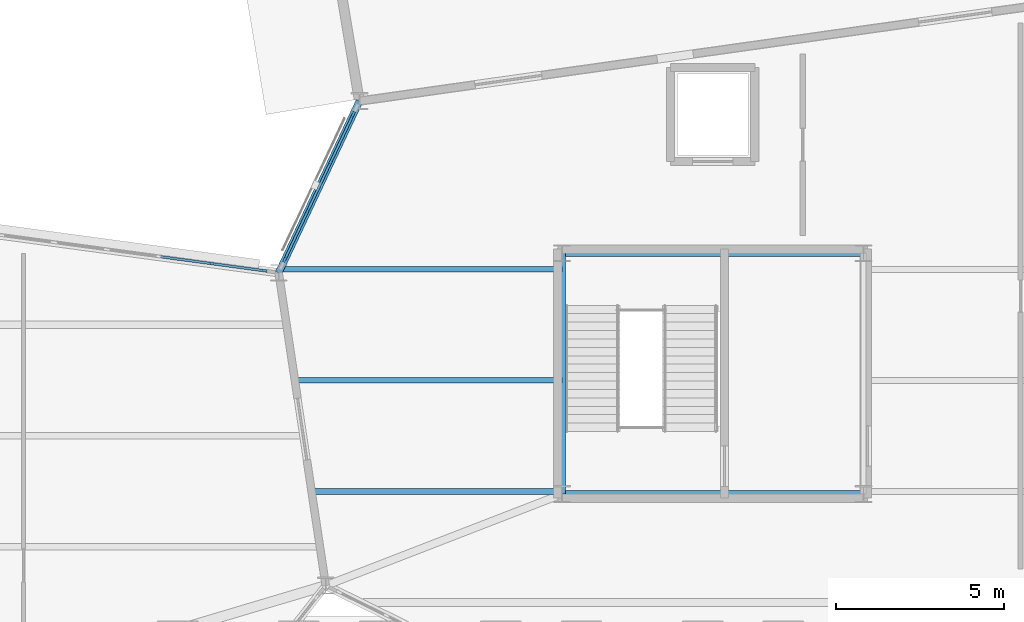
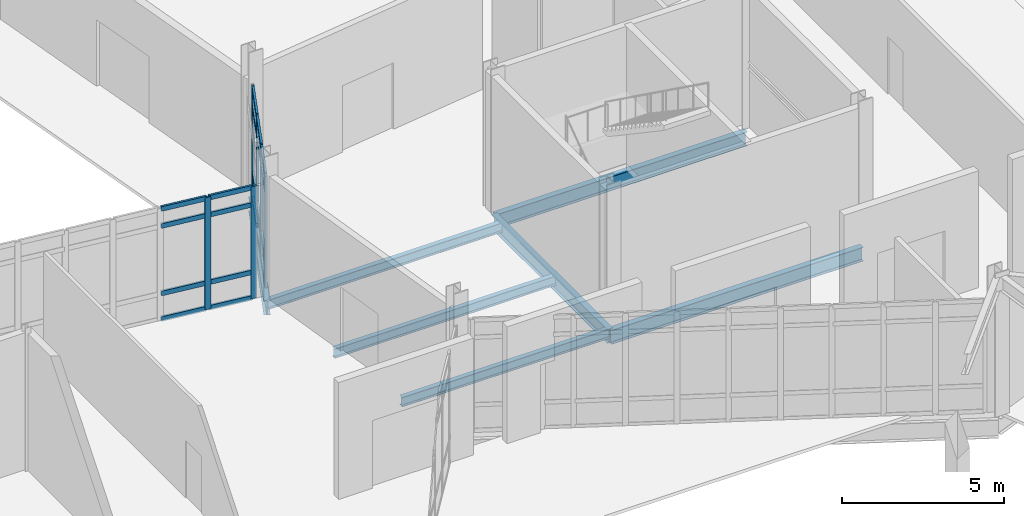
# One storey, part 32 of 113: 26 members, 7 beams, 2 elements without a shape of their own.
"""IFC4 building model written with IfcOpenShell, lengths in metres."""

import ifcopenshell
import ifcopenshell.guid

model = None  # the IFC model being written
_history = None  # IfcOwnerHistory: only IFC2X3 demands one
_inside = {}  # id of a spatial element -> (the spatial element, [elements in it])
_under = {}  # id of a project, library or spatial element -> (it, [spatial elements below it])
_declared = {}  # id of a project -> (the project, [libraries it declares])
_typed = {}  # id of a type object -> (the type object, [elements of that type])
_made_of = {}  # id of a material, layer set ... -> (it, [elements and type objects made of it])


def new_model(schema):
    """Start an empty IFC model of exactly this schema.

    Asked for "IFC4X3", IfcOpenShell would pick the latest addendum, in which some entities
    have other attributes; the version numbers below select the first issue.
    IFC2X3 requires an IfcOwnerHistory on every rooted entity: one is made here for all.
    """
    global model, _history
    if schema == "IFC4X3":
        model = ifcopenshell.file(schema_version=(4, 3, 0, 0))
    else:
        model = ifcopenshell.file(schema=schema)
    _inside.clear()
    _under.clear()
    _declared.clear()
    _typed.clear()
    _made_of.clear()
    _history = None
    if model.schema == "IFC2X3":
        org = make("IfcOrganization", Name="unknown")
        user = make(
            "IfcPersonAndOrganization",
            ThePerson=make("IfcPerson", FamilyName="unknown"),
            TheOrganization=org,
        )
        app = make(
            "IfcApplication",
            ApplicationDeveloper=org,
            Version="unknown",
            ApplicationFullName="unknown",
            ApplicationIdentifier="unknown",
        )
        _history = make(
            "IfcOwnerHistory",
            OwningUser=user,
            OwningApplication=app,
            ChangeAction="ADDED",
            CreationDate=0,
        )
    return model


def make(cls, **values):
    """One entity of the class cls with the attributes given. An attribute that is None is left unset."""
    return model.create_entity(
        cls, **{name: value for name, value in values.items() if value is not None}
    )


def rooted(cls, **values):
    """An entity with a GlobalId (a new one), such as an element, a storey or a relation."""
    return make(cls, GlobalId=ifcopenshell.guid.new(), OwnerHistory=_history, **values)


def si_unit(unit_type, name, prefix=None):
    """IfcSIUnit, for example si_unit("LENGTHUNIT", "METRE", prefix="MILLI")."""
    return make("IfcSIUnit", UnitType=unit_type, Prefix=prefix, Name=name)


def assignment(units):
    """IfcUnitAssignment: the units of a project."""
    return None if units is None else make("IfcUnitAssignment", Units=units)


def point(xyz):
    """IfcCartesianPoint."""
    return None if xyz is None else make("IfcCartesianPoint", Coordinates=xyz)


def direction(xyz):
    """IfcDirection."""
    return None if xyz is None else make("IfcDirection", DirectionRatios=xyz)


def frame(location, z_axis=None, x_axis=None):
    """IfcAxis2Placement3D, a coordinate frame: its origin and axes. An axis left out is left unset."""
    return make(
        "IfcAxis2Placement3D",
        Location=point(location),
        Axis=direction(z_axis),
        RefDirection=direction(x_axis),
    )


def frame_2d(location, x_axis=None):
    """IfcAxis2Placement2D, a coordinate frame in the plane: its origin and x axis."""
    return make(
        "IfcAxis2Placement2D", Location=point(location), RefDirection=direction(x_axis)
    )


def origin():
    """The frame at (0, 0, 0) with its axes left unset."""
    return frame((0.0, 0.0, 0.0))


def origin_2d():
    """The frame at (0, 0) in the plane with its x axis left unset."""
    return frame_2d((0.0, 0.0))


def place(relative_to, where):
    """IfcLocalPlacement: puts the frame where relative to a parent placement (None: the world)."""
    return make(
        "IfcLocalPlacement", PlacementRelTo=relative_to, RelativePlacement=where
    )


def context(
    kind, dimensions, precision=None, world=None, true_north=None, identifier=None
):
    """IfcGeometricRepresentationContext, for example the 3D "Model" context."""
    return make(
        "IfcGeometricRepresentationContext",
        ContextIdentifier=identifier,
        ContextType=kind,
        CoordinateSpaceDimension=dimensions,
        Precision=precision,
        WorldCoordinateSystem=world,
        TrueNorth=true_north,
    )


def subcontext(parent, identifier, kind, view, scale=None):
    """IfcGeometricRepresentationSubContext, for example "Body" below "Model"."""
    return make(
        "IfcGeometricRepresentationSubContext",
        ContextIdentifier=identifier,
        ContextType=kind,
        ParentContext=parent,
        TargetScale=scale,
        TargetView=view,
    )


def project(units=None, contexts=None):
    """IfcProject with its units and contexts."""
    return rooted(
        "IfcProject",
        Name="project",
        RepresentationContexts=contexts,
        UnitsInContext=assignment(units),
    )


def spatial(cls, under=None, at=None, **own):
    """A site, building, storey or space (cls), placed at a placement, below another one or the project."""
    s = rooted(cls, ObjectPlacement=at, **own)
    if under is not None:
        _under.setdefault(under.id(), (under, []))[1].append(s)
    return s


def profile(cls, at=None, kind="AREA", **sizes):
    """A parametric profile (cls). Its sizes go by their IFC names, for example OverallWidth=200.0."""
    return make(cls, ProfileType=kind, Position=at, **sizes)


def rectangle(**sizes):
    """IfcRectangleProfileDef."""
    return profile("IfcRectangleProfileDef", **sizes)


def i_section(**sizes):
    """IfcIShapeProfileDef."""
    return profile("IfcIShapeProfileDef", **sizes)


def extrude(swept, where, along, depth):
    """IfcExtrudedAreaSolid: the profile swept, set in the frame where, extruded along a direction by depth."""
    return make(
        "IfcExtrudedAreaSolid",
        SweptArea=swept,
        Position=where,
        ExtrudedDirection=direction(along),
        Depth=depth,
    )


def shape(context_of_items, identifier, shape_type, items):
    """IfcShapeRepresentation: the items that make up one representation, for example the "Body"."""
    return make(
        "IfcShapeRepresentation",
        ContextOfItems=context_of_items,
        RepresentationIdentifier=identifier,
        RepresentationType=shape_type,
        Items=items,
    )


def material(Name=None, Category=None):
    """IfcMaterial."""
    return make("IfcMaterial", Name=Name, Category=Category)


def material_profile(
    of_material, cross_section, Name=None, Category=None, Priority=None
):
    """IfcMaterialProfile: a cross section and its material."""
    return make(
        "IfcMaterialProfile",
        Name=Name,
        Material=of_material,
        Profile=cross_section,
        Priority=Priority,
        Category=Category,
    )


def profile_set(profiles, Name=None, composite=None):
    """IfcMaterialProfileSet."""
    return make(
        "IfcMaterialProfileSet",
        Name=Name,
        MaterialProfiles=profiles,
        CompositeProfile=composite,
    )


def made_of(thing, what):
    """Note that an element or type object is made of a material, layer set ...; save() writes the relation."""
    if what is not None:
        _made_of.setdefault(what.id(), (what, []))[1].append(thing)
    return thing


def type_object(cls, material=None, **own):
    """A type object (cls), such as IfcWallType, which elements share."""
    return made_of(rooted(cls, **own), material)


def element(
    cls,
    number,
    at=None,
    inside=None,
    cuts=None,
    type_object=None,
    material=None,
    context=None,
    identifier="Body",
    shape_type=None,
    held_by="IfcProductDefinitionShape",
    body=None,
    shapes=None,
    **own,
):
    """One element of the class cls, such as IfcWall. Its Tag is "e" and its number.

    at: its placement. inside: the storey or other place that contains it. cuts: it is an
    opening in that element (IfcRelVoidsElement). A single representation is given by context,
    identifier, shape_type and body (its items); several are given by shapes. held_by: the class
    of the entity that holds the representations. save() writes the other relations.
    """
    e = rooted(cls, Tag="e%d" % number, ObjectPlacement=at, **own)
    if body is not None:
        shapes = [shape(context, identifier, shape_type, body)]
    if shapes is not None:
        e.Representation = make(held_by, Representations=shapes)
    if inside is not None:
        _inside.setdefault(inside.id(), (inside, []))[1].append(e)
    if cuts is not None:
        rooted(
            "IfcRelVoidsElement", RelatingBuildingElement=cuts, RelatedOpeningElement=e
        )
    if type_object is not None:
        _typed.setdefault(type_object.id(), (type_object, []))[1].append(e)
    return made_of(e, material)


def aggregate(whole, parts):
    """IfcRelAggregates: a whole, such as a stair, and the parts it consists of."""
    return rooted("IfcRelAggregates", RelatingObject=whole, RelatedObjects=parts)


def save(model, path):
    """Write the relations noted so far, then the file.

    IfcRelAggregates (storeys below a building ...), IfcRelContainedInSpatialStructure (elements
    in a storey), IfcRelDefinesByType, IfcRelAssociatesMaterial and IfcRelDeclares: one each for
    every whole, place, type object, material and project.
    """
    for whole, parts in _under.values():
        aggregate(whole, parts)
    for where, things in _inside.values():
        rooted(
            "IfcRelContainedInSpatialStructure",
            RelatedElements=things,
            RelatingStructure=where,
        )
    for kind, things in _typed.values():
        rooted("IfcRelDefinesByType", RelatedObjects=things, RelatingType=kind)
    for what, things in _made_of.values():
        rooted("IfcRelAssociatesMaterial", RelatedObjects=things, RelatingMaterial=what)
    for by, libraries in _declared.values():
        rooted("IfcRelDeclares", RelatingContext=by, RelatedDefinitions=libraries)
    model.write(path)


model = new_model("IFC4")

# Units and contexts
model_context = context("Model", 3, precision=1e-05, world=origin(), true_north=direction((0.0, 1.0)))
body_context = subcontext(model_context, "Body", "Model", "MODEL_VIEW")
ifc_project = project(units=[si_unit("LENGTHUNIT", "METRE"), si_unit("AREAUNIT", "SQUARE_METRE"), si_unit("VOLUMEUNIT", "CUBIC_METRE"), si_unit("PLANEANGLEUNIT", "RADIAN"), si_unit("MASSUNIT", "GRAM", prefix="KILO")], contexts=[model_context])

# Site, building, storey
site_placement = place(None, origin())
site = spatial("IfcSite", under=ifc_project, at=site_placement, CompositionType="ELEMENT")
building_placement = place(site_placement, origin())
building = spatial("IfcBuilding", under=site, at=building_placement, Name="Tameran Prism Museum", CompositionType="ELEMENT")
storey_placement = place(building_placement, origin())
storey = spatial("IfcBuildingStorey", under=building, at=storey_placement, Name="L00", CompositionType="ELEMENT", Elevation=0.0)

# Beams
ifc_material_1 = material(Name="Steel Grade 300PLUS (300 MPa)", Category="steel")
ifc_material_profile_1 = material_profile(ifc_material_1, i_section(OverallWidth=0.172119140625, OverallDepth=0.35888671875, WebThickness=0.008056640625, FlangeThickness=0.012939453125, FilletRadius=0.011474609375, at=origin_2d()))
ifc_profile_set_1 = profile_set([ifc_material_profile_1])
beam_type_1 = type_object("IfcBeamType", Name="BM-J360A", PredefinedType="JOIST", material=ifc_profile_set_1)
beam_1_placement = place(storey_placement, frame((50.618896484375, 33.0, -0.41943359375), z_axis=(1.0, 0.0, 0.0), x_axis=(0.0, 1.0, 0.0)))
element("IfcBeam", 1, at=beam_1_placement, inside=storey, type_object=beam_type_1, Name="Floor Beam BM-0201", PredefinedType="JOIST", context=body_context, shape_type="SweptSolid", body=[
    extrude(i_section(OverallWidth=0.172119140625, OverallDepth=0.35888671875, WebThickness=0.008056640625, FlangeThickness=0.012939453125, FilletRadius=0.011474609375, at=origin_2d()), origin(), (0.0, 0.0, 1.0), 7.401123046875),
])
beam_2_placement = place(storey_placement, frame((49.69091796875, 39.60009765625, -0.41943359375), z_axis=(1.0, 0.0, 0.0), x_axis=(0.0, 1.0, 0.0)))
element("IfcBeam", 2, at=beam_2_placement, inside=storey, type_object=beam_type_1, Name="Floor Beam BM-0205", PredefinedType="JOIST", context=body_context, shape_type="SweptSolid", body=[
    extrude(i_section(OverallWidth=0.172119140625, OverallDepth=0.35888671875, WebThickness=0.008056640625, FlangeThickness=0.012939453125, FilletRadius=0.011474609375, at=origin_2d()), origin(), (0.0, 0.0, 1.0), 8.3291015625),
])
ifc_material_2 = material(Name="Steel Grade 300PLUS (300 MPa)", Category="steel")
ifc_material_profile_2 = material_profile(ifc_material_2, i_section(OverallWidth=0.1708984375, OverallDepth=0.35595703125, WebThickness=0.00732421875, FlangeThickness=0.011474609375, FilletRadius=0.011474609375, at=origin_2d()))
ifc_profile_set_2 = profile_set([ifc_material_profile_2])
beam_type_2 = type_object("IfcBeamType", Name="BM-J360B", PredefinedType="JOIST", material=ifc_profile_set_2)
beam_3_placement = place(storey_placement, frame((50.1220703125, 36.300048828125, -0.41796875), z_axis=(1.0, 0.0, 0.0), x_axis=(0.0, 1.0, 0.0)))
element("IfcBeam", 3, at=beam_3_placement, inside=storey, type_object=beam_type_2, Name="Floor Beam BM-0203", PredefinedType="JOIST", context=body_context, shape_type="SweptSolid", body=[
    extrude(i_section(OverallWidth=0.1708984375, OverallDepth=0.35595703125, WebThickness=0.00732421875, FlangeThickness=0.011474609375, FilletRadius=0.011474609375, at=origin_2d()), origin(), (0.0, 0.0, 1.0), 7.89794921875),
])
ifc_material_3 = material(Name="Steel Grade 300PLUS (300 MPa)", Category="steel")
ifc_material_profile_3 = material_profile(ifc_material_3, i_section(OverallWidth=0.208984375, OverallDepth=0.528076171875, WebThickness=0.009521484375, FlangeThickness=0.01318359375, FilletRadius=0.013916015625, at=origin_2d()))
ifc_profile_set_3 = profile_set([ifc_material_profile_3])
beam_type_3 = type_object("IfcBeamType", Name="BM-SP530B", PredefinedType="SPANDREL", material=ifc_profile_set_3)
beam_4_placement = place(storey_placement, frame((52.0, 44.60009765625, -0.50390625), z_axis=(-0.425776176805, -0.904828518154, 0.0), x_axis=(0.904828518154, -0.425776176805, 0.0)))
element("IfcBeam", 4, at=beam_4_placement, inside=storey, type_object=beam_type_3, Name="Perimeter Spandrel SP-0026", PredefinedType="SPANDREL", context=body_context, shape_type="SweptSolid", body=[
    extrude(i_section(OverallWidth=0.208984375, OverallDepth=0.528076171875, WebThickness=0.009521484375, FlangeThickness=0.01318359375, FilletRadius=0.013916015625, at=origin_2d()), origin(), (0.0, 0.0, 1.0), 5.636474609375),
])
for number, where, z_axis, x_axis, name in (
    (5, (58.02001953125, 32.919921875, -0.50390625), (1.0, 0.0, 0.0), (0.0, 1.0, 0.0), "Core Ring Beam CTB-0114"),
    (6, (66.97998046875, 40.080078125, -0.50390625), (-1.0, 0.0, 0.0), (0.0, -1.0, 0.0), "Core Ring Beam CTB-0116"),
):
    element("IfcBeam", number, at=place(storey_placement, frame(where, z_axis=z_axis, x_axis=x_axis)), inside=storey, type_object=beam_type_3, Name=name, PredefinedType="SPANDREL", context=body_context, shape_type="SweptSolid", body=[
        extrude(i_section(OverallWidth=0.208984375, OverallDepth=0.528076171875, WebThickness=0.009521484375, FlangeThickness=0.01318359375, FilletRadius=0.013916015625, at=origin_2d()), origin(), (0.0, 0.0, 1.0), 8.9599609375),
    ])
beam_5_placement = place(storey_placement, frame((58.02001953125, 40.080078125, -0.50390625), z_axis=(0.0, -1.0, 0.0), x_axis=(1.0, 0.0, 0.0)))
element("IfcBeam", 7, at=beam_5_placement, inside=storey, type_object=beam_type_3, Name="Core Ring Beam CTB-0117", PredefinedType="SPANDREL", context=body_context, shape_type="SweptSolid", body=[
    extrude(i_section(OverallWidth=0.208984375, OverallDepth=0.528076171875, WebThickness=0.009521484375, FlangeThickness=0.01318359375, FilletRadius=0.013916015625, at=origin_2d()), origin(), (0.0, 0.0, 1.0), 7.16015625),
])

# Curtain wall, members
ifc_material_4 = material(Name="Anodised Aluminium 6063-T6 and Cyclone Solar Glass", Category="aluminium")
curtain_wall_type_1 = type_object("IfcCurtainWallType", Name="CW-FAC-482x422", PredefinedType="USERDEFINED", material=ifc_material_4)
curtain_wall_1_placement = place(storey_placement, origin())
curtain_wall_1 = element("IfcCurtainWall", 8, at=curtain_wall_1_placement, inside=storey, type_object=curtain_wall_type_1, Name="Unitised Curtain Wall CW-029", ObjectType="UNITISED CURTAIN WALL", PredefinedType="USERDEFINED")
ifc_material_5 = material(Name="Anodised Aluminium Alloy 6063-T6", Category="aluminium")
ifc_material_profile_4 = material_profile(ifc_material_5, rectangle(XDim=0.074951171875, YDim=0.199951171875, at=origin_2d()))
ifc_profile_set_4 = profile_set([ifc_material_profile_4])
member_type_1 = type_object("IfcMemberType", Name="CW-MUL-C", PredefinedType="MULLION", material=ifc_profile_set_4)
member_1_placement = place(storey_placement, frame((49.791015625, 39.905029296875, 0.0), z_axis=(0.0, 0.0, 1.0), x_axis=(-0.904884570714, 0.42565703763, 0.0)))
member_1 = element("IfcMember", 9, at=member_1_placement, type_object=member_type_1, Name="CW-029 mullion 1", PredefinedType="MULLION", context=body_context, shape_type="SweptSolid", body=[
    extrude(rectangle(XDim=0.074951171875, YDim=0.199951171875, at=origin_2d()), origin(), (0.0, 0.0, 1.0), 4.219970703125),
])
member_2_placement = place(storey_placement, frame((50.458251953125, 41.32373046875, 0.0), z_axis=(0.0, 0.0, 1.0), x_axis=(-0.904884570714, 0.42565703763, 0.0)))
member_2 = element("IfcMember", 10, at=member_2_placement, type_object=member_type_1, Name="CW-029 mullion 2", PredefinedType="MULLION", context=body_context, shape_type="SweptSolid", body=[
    extrude(rectangle(XDim=0.074951171875, YDim=0.199951171875, at=origin_2d()), origin(), (0.0, 0.0, 1.0), 4.219970703125),
])
member_3_placement = place(storey_placement, frame((51.1416015625, 42.7763671875, 0.0), z_axis=(0.0, 0.0, 1.0), x_axis=(-0.904884570714, 0.42565703763, 0.0)))
member_3 = element("IfcMember", 11, at=member_3_placement, type_object=member_type_1, Name="CW-029 mullion 3", PredefinedType="MULLION", context=body_context, shape_type="SweptSolid", body=[
    extrude(rectangle(XDim=0.074951171875, YDim=0.199951171875, at=origin_2d()), origin(), (0.0, 0.0, 1.0), 4.219970703125),
])
member_4_placement = place(storey_placement, frame((51.80908203125, 44.195068359375, 0.0), z_axis=(0.0, 0.0, 1.0), x_axis=(-0.904884570714, 0.42565703763, 0.0)))
member_4 = element("IfcMember", 12, at=member_4_placement, type_object=member_type_1, Name="CW-029 mullion 4", PredefinedType="MULLION", context=body_context, shape_type="SweptSolid", body=[
    extrude(rectangle(XDim=0.074951171875, YDim=0.199951171875, at=origin_2d()), origin(), (0.0, 0.0, 1.0), 4.219970703125),
])

ifc_material_6 = material(Name="Anodised Aluminium 6063-T6 and Cyclone Solar Glass", Category="aluminium")
curtain_wall_type_2 = type_object("IfcCurtainWallType", Name="CW-FAC-2532x422", PredefinedType="USERDEFINED", material=ifc_material_6)
curtain_wall_2_placement = place(storey_placement, origin())
curtain_wall_2 = element("IfcCurtainWall", 13, at=curtain_wall_2_placement, inside=storey, type_object=curtain_wall_type_2, Name="Unitised Curtain Wall CW-049", ObjectType="UNITISED CURTAIN WALL", PredefinedType="USERDEFINED")
member_5_placement = place(storey_placement, frame((47.6259765625, 39.766845703125, 0.0), z_axis=(0.0, 0.0, 1.0), x_axis=(0.133912653592, 0.99099313883, 0.0)))
member_5 = element("IfcMember", 14, at=member_5_placement, type_object=member_type_1, Name="CW-049 mullion 16", PredefinedType="MULLION", context=body_context, shape_type="SweptSolid", body=[
    extrude(rectangle(XDim=0.074951171875, YDim=0.199951171875, at=origin_2d()), origin(), (0.0, 0.0, 1.0), 4.219970703125),
])
member_6_placement = place(storey_placement, frame((49.15673828125, 39.56005859375, 0.0), z_axis=(0.0, 0.0, 1.0), x_axis=(0.133912653592, 0.99099313883, 0.0)))
member_6 = element("IfcMember", 15, at=member_6_placement, type_object=member_type_1, Name="CW-049 mullion 17", PredefinedType="MULLION", context=body_context, shape_type="SweptSolid", body=[
    extrude(rectangle(XDim=0.074951171875, YDim=0.199951171875, at=origin_2d()), origin(), (0.0, 0.0, 1.0), 4.219970703125),
])

# Member
ifc_material_7 = material(Name="Anodised Aluminium Alloy 6063-T6", Category="aluminium")
ifc_material_profile_5 = material_profile(ifc_material_7, rectangle(XDim=0.074951171875, YDim=0.175048828125, at=origin_2d()))
ifc_profile_set_5 = profile_set([ifc_material_profile_5])
member_type_2 = type_object("IfcMemberType", Name="CW-TRN-C", PredefinedType="USERDEFINED", material=ifc_profile_set_5)
member_7_placement = place(storey_placement, frame((49.806884765625, 39.93896484375, 0.03759765625), z_axis=(0.425694647365, 0.904866878168, 0.0), x_axis=(-0.904866878168, 0.425694647365, 0.0)))
member_7 = element("IfcMember", 16, at=member_7_placement, type_object=member_type_2, Name="CW-029 transom 1.1", ObjectType="TRANSOM", PredefinedType="USERDEFINED", context=body_context, shape_type="SweptSolid", body=[
    extrude(rectangle(XDim=0.074951171875, YDim=0.175048828125, at=origin_2d()), origin(), (0.0, 0.0, 1.0), 1.492919921875),
])

member_8_placement = place(storey_placement, frame((49.806884765625, 39.93896484375, 1.0), z_axis=(0.425694647365, 0.904866878168, 0.0), x_axis=(-0.904866878168, 0.425694647365, 0.0)))
member_8 = element("IfcMember", 17, at=member_8_placement, type_object=member_type_2, Name="CW-029 transom 1.2", ObjectType="TRANSOM", PredefinedType="USERDEFINED", context=body_context, shape_type="SweptSolid", body=[
    extrude(rectangle(XDim=0.074951171875, YDim=0.175048828125, at=origin_2d()), origin(), (0.0, 0.0, 1.0), 1.492919921875),
])

member_9_placement = place(storey_placement, frame((49.806884765625, 39.93896484375, 3.5400390625), z_axis=(0.425694647365, 0.904866878168, 0.0), x_axis=(-0.904866878168, 0.425694647365, 0.0)))
member_9 = element("IfcMember", 18, at=member_9_placement, type_object=member_type_2, Name="CW-029 transom 1.3", ObjectType="TRANSOM", PredefinedType="USERDEFINED", context=body_context, shape_type="SweptSolid", body=[
    extrude(rectangle(XDim=0.074951171875, YDim=0.175048828125, at=origin_2d()), origin(), (0.0, 0.0, 1.0), 1.492919921875),
])

member_10_placement = place(storey_placement, frame((49.806884765625, 39.93896484375, 4.1826171875), z_axis=(0.425694647365, 0.904866878168, 0.0), x_axis=(-0.904866878168, 0.425694647365, 0.0)))
member_10 = element("IfcMember", 19, at=member_10_placement, type_object=member_type_2, Name="CW-029 transom 1.4", ObjectType="TRANSOM", PredefinedType="USERDEFINED", context=body_context, shape_type="SweptSolid", body=[
    extrude(rectangle(XDim=0.074951171875, YDim=0.175048828125, at=origin_2d()), origin(), (0.0, 0.0, 1.0), 1.492919921875),
])

member_11_placement = place(storey_placement, frame((50.474365234375, 41.357666015625, 0.03759765625), z_axis=(0.425643368976, 0.904891000312, 0.0), x_axis=(-0.904891000312, 0.425643368976, 0.0)))
member_11 = element("IfcMember", 20, at=member_11_placement, type_object=member_type_2, Name="CW-029 transom 2.1", ObjectType="TRANSOM", PredefinedType="USERDEFINED", context=body_context, shape_type="SweptSolid", body=[
    extrude(rectangle(XDim=0.074951171875, YDim=0.175048828125, at=origin_2d()), origin(), (0.0, 0.0, 1.0), 1.5302734375),
])

member_12_placement = place(storey_placement, frame((50.474365234375, 41.357666015625, 1.0), z_axis=(0.425643368976, 0.904891000312, 0.0), x_axis=(-0.904891000312, 0.425643368976, 0.0)))
member_12 = element("IfcMember", 21, at=member_12_placement, type_object=member_type_2, Name="CW-029 transom 2.2", ObjectType="TRANSOM", PredefinedType="USERDEFINED", context=body_context, shape_type="SweptSolid", body=[
    extrude(rectangle(XDim=0.074951171875, YDim=0.175048828125, at=origin_2d()), origin(), (0.0, 0.0, 1.0), 1.5302734375),
])

member_13_placement = place(storey_placement, frame((50.474365234375, 41.357666015625, 3.5400390625), z_axis=(0.425643368976, 0.904891000312, 0.0), x_axis=(-0.904891000312, 0.425643368976, 0.0)))
member_13 = element("IfcMember", 22, at=member_13_placement, type_object=member_type_2, Name="CW-029 transom 2.3", ObjectType="TRANSOM", PredefinedType="USERDEFINED", context=body_context, shape_type="SweptSolid", body=[
    extrude(rectangle(XDim=0.074951171875, YDim=0.175048828125, at=origin_2d()), origin(), (0.0, 0.0, 1.0), 1.5302734375),
])

member_14_placement = place(storey_placement, frame((50.474365234375, 41.357666015625, 4.1826171875), z_axis=(0.425643368976, 0.904891000312, 0.0), x_axis=(-0.904891000312, 0.425643368976, 0.0)))
member_14 = element("IfcMember", 23, at=member_14_placement, type_object=member_type_2, Name="CW-029 transom 2.4", ObjectType="TRANSOM", PredefinedType="USERDEFINED", context=body_context, shape_type="SweptSolid", body=[
    extrude(rectangle(XDim=0.074951171875, YDim=0.175048828125, at=origin_2d()), origin(), (0.0, 0.0, 1.0), 1.5302734375),
])

member_15_placement = place(storey_placement, frame((51.15771484375, 42.810302734375, 0.03759765625), z_axis=(0.425560729427, 0.904929867763, 0.0), x_axis=(-0.904929867763, 0.425560729427, 0.0)))
member_15 = element("IfcMember", 24, at=member_15_placement, type_object=member_type_2, Name="CW-029 transom 3.1", ObjectType="TRANSOM", PredefinedType="USERDEFINED", context=body_context, shape_type="SweptSolid", body=[
    extrude(rectangle(XDim=0.074951171875, YDim=0.175048828125, at=origin_2d()), origin(), (0.0, 0.0, 1.0), 1.49267578125),
])

member_16_placement = place(storey_placement, frame((51.15771484375, 42.810302734375, 1.0), z_axis=(0.425560729427, 0.904929867763, 0.0), x_axis=(-0.904929867763, 0.425560729427, 0.0)))
member_16 = element("IfcMember", 25, at=member_16_placement, type_object=member_type_2, Name="CW-029 transom 3.2", ObjectType="TRANSOM", PredefinedType="USERDEFINED", context=body_context, shape_type="SweptSolid", body=[
    extrude(rectangle(XDim=0.074951171875, YDim=0.175048828125, at=origin_2d()), origin(), (0.0, 0.0, 1.0), 1.49267578125),
])

member_17_placement = place(storey_placement, frame((51.15771484375, 42.810302734375, 3.5400390625), z_axis=(0.425560729427, 0.904929867763, 0.0), x_axis=(-0.904929867763, 0.425560729427, 0.0)))
member_17 = element("IfcMember", 26, at=member_17_placement, type_object=member_type_2, Name="CW-029 transom 3.3", ObjectType="TRANSOM", PredefinedType="USERDEFINED", context=body_context, shape_type="SweptSolid", body=[
    extrude(rectangle(XDim=0.074951171875, YDim=0.175048828125, at=origin_2d()), origin(), (0.0, 0.0, 1.0), 1.49267578125),
])

member_18_placement = place(storey_placement, frame((51.15771484375, 42.810302734375, 4.1826171875), z_axis=(0.425560729427, 0.904929867763, 0.0), x_axis=(-0.904929867763, 0.425560729427, 0.0)))
member_18 = element("IfcMember", 27, at=member_18_placement, type_object=member_type_2, Name="CW-029 transom 3.4", ObjectType="TRANSOM", PredefinedType="USERDEFINED", context=body_context, shape_type="SweptSolid", body=[
    extrude(rectangle(XDim=0.074951171875, YDim=0.175048828125, at=origin_2d()), origin(), (0.0, 0.0, 1.0), 1.49267578125),
])

aggregate(curtain_wall_1, [member_1, member_2, member_3, member_4, member_7, member_8, member_9, member_10, member_11, member_12, member_13, member_14, member_15, member_16, member_17, member_18])

member_19_placement = place(storey_placement, frame((46.09521484375, 39.9736328125, 0.03759765625), z_axis=(0.991008691064, -0.133797512066, 0.0), x_axis=(0.133797512066, 0.991008691064, 0.0)))
member_19 = element("IfcMember", 28, at=member_19_placement, type_object=member_type_2, Name="CW-049 transom 15.1", ObjectType="TRANSOM", PredefinedType="USERDEFINED", context=body_context, shape_type="SweptSolid", body=[
    extrude(rectangle(XDim=0.074951171875, YDim=0.175048828125, at=origin_2d()), origin(), (0.0, 0.0, 1.0), 1.50732421875),
])

member_20_placement = place(storey_placement, frame((46.09521484375, 39.9736328125, 1.0), z_axis=(0.991008691064, -0.133797512066, 0.0), x_axis=(0.133797512066, 0.991008691064, 0.0)))
member_20 = element("IfcMember", 29, at=member_20_placement, type_object=member_type_2, Name="CW-049 transom 15.2", ObjectType="TRANSOM", PredefinedType="USERDEFINED", context=body_context, shape_type="SweptSolid", body=[
    extrude(rectangle(XDim=0.074951171875, YDim=0.175048828125, at=origin_2d()), origin(), (0.0, 0.0, 1.0), 1.50732421875),
])

member_21_placement = place(storey_placement, frame((46.09521484375, 39.9736328125, 3.5400390625), z_axis=(0.991008691064, -0.133797512066, 0.0), x_axis=(0.133797512066, 0.991008691064, 0.0)))
member_21 = element("IfcMember", 30, at=member_21_placement, type_object=member_type_2, Name="CW-049 transom 15.3", ObjectType="TRANSOM", PredefinedType="USERDEFINED", context=body_context, shape_type="SweptSolid", body=[
    extrude(rectangle(XDim=0.074951171875, YDim=0.175048828125, at=origin_2d()), origin(), (0.0, 0.0, 1.0), 1.50732421875),
])

member_22_placement = place(storey_placement, frame((46.09521484375, 39.9736328125, 4.1826171875), z_axis=(0.991008691064, -0.133797512066, 0.0), x_axis=(0.133797512066, 0.991008691064, 0.0)))
member_22 = element("IfcMember", 31, at=member_22_placement, type_object=member_type_2, Name="CW-049 transom 15.4", ObjectType="TRANSOM", PredefinedType="USERDEFINED", context=body_context, shape_type="SweptSolid", body=[
    extrude(rectangle(XDim=0.074951171875, YDim=0.175048828125, at=origin_2d()), origin(), (0.0, 0.0, 1.0), 1.50732421875),
])

member_23_placement = place(storey_placement, frame((47.663330078125, 39.761962890625, 0.03759765625), z_axis=(0.990972159176, -0.134067817679, 0.0), x_axis=(0.134067817679, 0.990972159176, 0.0)))
member_23 = element("IfcMember", 32, at=member_23_placement, type_object=member_type_2, Name="CW-049 transom 16.1", ObjectType="TRANSOM", PredefinedType="USERDEFINED", context=body_context, shape_type="SweptSolid", body=[
    extrude(rectangle(XDim=0.074951171875, YDim=0.175048828125, at=origin_2d()), origin(), (0.0, 0.0, 1.0), 1.469482421875),
])

member_24_placement = place(storey_placement, frame((47.663330078125, 39.761962890625, 1.0), z_axis=(0.990972159176, -0.134067817679, 0.0), x_axis=(0.134067817679, 0.990972159176, 0.0)))
member_24 = element("IfcMember", 33, at=member_24_placement, type_object=member_type_2, Name="CW-049 transom 16.2", ObjectType="TRANSOM", PredefinedType="USERDEFINED", context=body_context, shape_type="SweptSolid", body=[
    extrude(rectangle(XDim=0.074951171875, YDim=0.175048828125, at=origin_2d()), origin(), (0.0, 0.0, 1.0), 1.469482421875),
])

member_25_placement = place(storey_placement, frame((47.663330078125, 39.761962890625, 3.5400390625), z_axis=(0.990972159176, -0.134067817679, 0.0), x_axis=(0.134067817679, 0.990972159176, 0.0)))
member_25 = element("IfcMember", 34, at=member_25_placement, type_object=member_type_2, Name="CW-049 transom 16.3", ObjectType="TRANSOM", PredefinedType="USERDEFINED", context=body_context, shape_type="SweptSolid", body=[
    extrude(rectangle(XDim=0.074951171875, YDim=0.175048828125, at=origin_2d()), origin(), (0.0, 0.0, 1.0), 1.469482421875),
])

member_26_placement = place(storey_placement, frame((47.663330078125, 39.761962890625, 4.1826171875), z_axis=(0.990972159176, -0.134067817679, 0.0), x_axis=(0.134067817679, 0.990972159176, 0.0)))
member_26 = element("IfcMember", 35, at=member_26_placement, type_object=member_type_2, Name="CW-049 transom 16.4", ObjectType="TRANSOM", PredefinedType="USERDEFINED", context=body_context, shape_type="SweptSolid", body=[
    extrude(rectangle(XDim=0.074951171875, YDim=0.175048828125, at=origin_2d()), origin(), (0.0, 0.0, 1.0), 1.469482421875),
])

aggregate(curtain_wall_2, [member_5, member_6, member_19, member_20, member_21, member_22, member_23, member_24, member_25, member_26])

save(model, "model.ifc")
